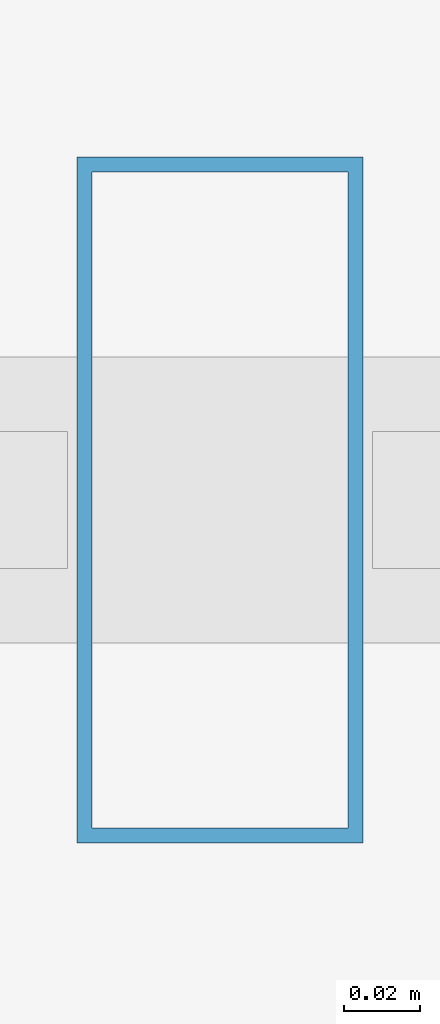
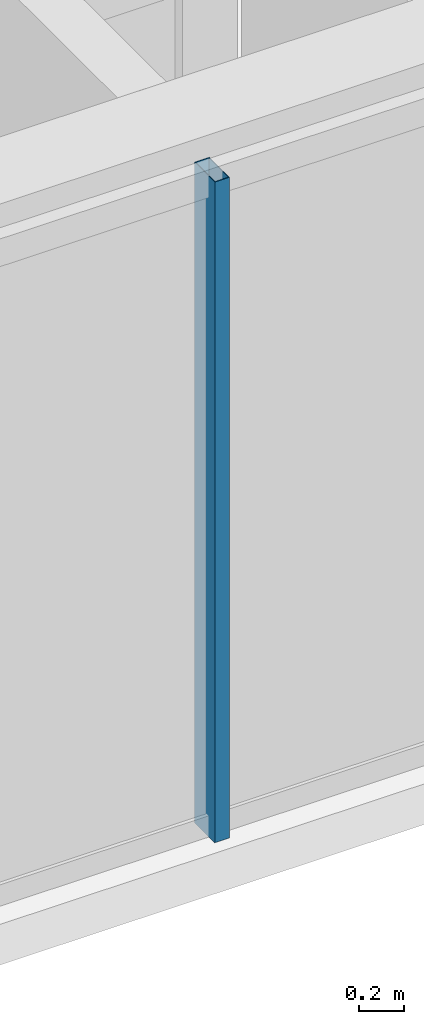
# One storey, part 3 of 32: 1 member, 1 element without a shape of its own.
"""IFC4 building model written with IfcOpenShell, lengths in metres."""

from ifc_helpers import new_model, si_unit, direction, frame, origin, origin_2d, place, context, subcontext, project, spatial, hollow_rectangle, extrude, material, layer, layer_set, material_profile, profile_set, type_object, element, aggregate, save


model = new_model("IFC4")

# Units and contexts
model_context = context("Model", 3, precision=1e-05, world=origin(), true_north=direction((0.0, 1.0)))
body_context = subcontext(model_context, "Body", "Model", "MODEL_VIEW")
ifc_project = project(units=[si_unit("LENGTHUNIT", "METRE"), si_unit("AREAUNIT", "SQUARE_METRE"), si_unit("VOLUMEUNIT", "CUBIC_METRE"), si_unit("PLANEANGLEUNIT", "RADIAN"), si_unit("MASSUNIT", "GRAM", prefix="KILO")], contexts=[model_context])

# Site, building, storey
site_placement = place(None, origin())
site = spatial("IfcSite", under=ifc_project, at=site_placement, CompositionType="ELEMENT")
building_placement = place(site_placement, origin())
building = spatial("IfcBuilding", under=site, at=building_placement, Name="Ndaravel Arena Tower", CompositionType="ELEMENT")
storey_placement = place(building_placement, frame((0.0, 0.0, 70.199951171875)))
storey = spatial("IfcBuildingStorey", under=building, at=storey_placement, Name="L15", CompositionType="ELEMENT", Elevation=70.199951171875)

# Curtain wall, member
ifc_material_1 = material(Name="Aluminium", Category="aluminium")
ifc_layer = layer(ifc_material_1, 0.179931640625)
ifc_layer_set = layer_set([ifc_layer], Name="Aluminium")
curtain_wall_type = type_object("IfcCurtainWallType", Name="CW-SYS-03", PredefinedType="NOTDEFINED", material=ifc_layer_set)
curtain_wall_placement = place(storey_placement, origin())
curtain_wall = element("IfcCurtainWall", 1, at=curtain_wall_placement, inside=storey, type_object=curtain_wall_type, Name="L15 Faceted Crystal Curtain Wall CW-L15-E01", PredefinedType="NOTDEFINED")
ifc_material_2 = material(Name="Aluminium", Category="aluminium")
ifc_material_profile = material_profile(ifc_material_2, hollow_rectangle(XDim=0.074951171875, YDim=0.179931640625, WallThickness=0.00390625, at=origin_2d()), Name="CW MULLION 75x180x4")
ifc_profile_set = profile_set([ifc_material_profile], Name="Aluminium")
member_type = type_object("IfcMemberType", Name="MEM-CW-MUL180", PredefinedType="MULLION", material=ifc_profile_set)
member_placement = place(storey_placement, frame((30.560791015625, 5.159912109375, 0.0), z_axis=(0.0, 0.0, 1.0), x_axis=(1.0, 0.0, 0.0)))
member = element("IfcMember", 2, at=member_placement, type_object=member_type, Name="CW-L15-E01 Mullion 01", PredefinedType="MULLION", context=body_context, shape_type="SweptSolid", body=[
    extrude(hollow_rectangle(XDim=0.074951171875, YDim=0.179931640625, WallThickness=0.00390625, at=origin_2d()), origin(), (0.0, 0.0, 1.0), 3.580078125),
])
aggregate(curtain_wall, [member])

save(model, "model.ifc")
